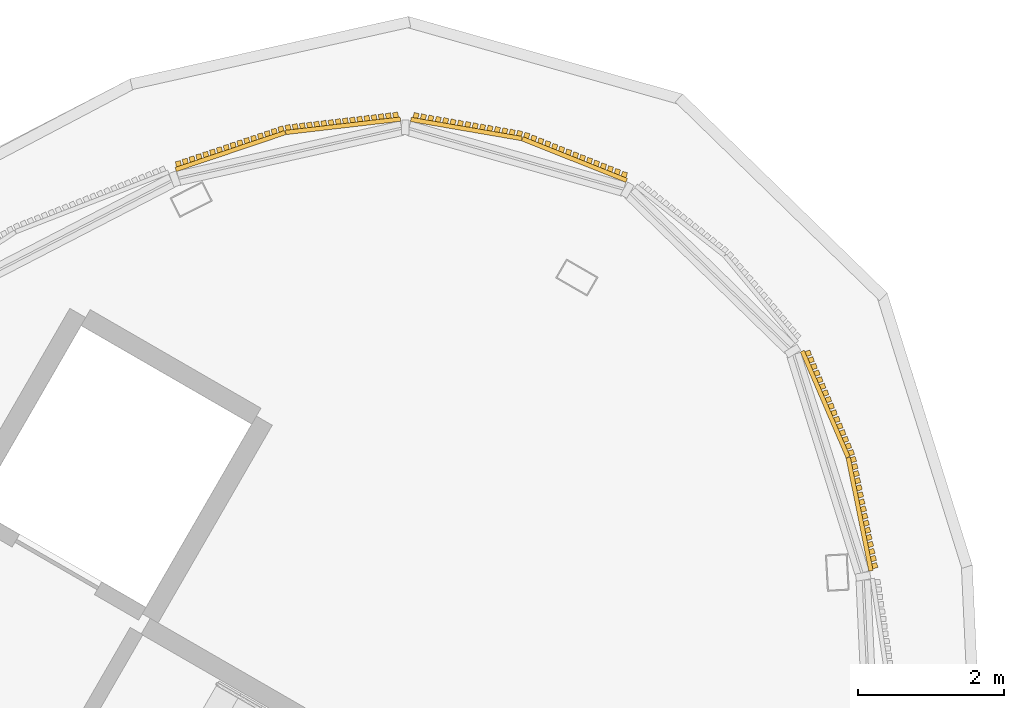
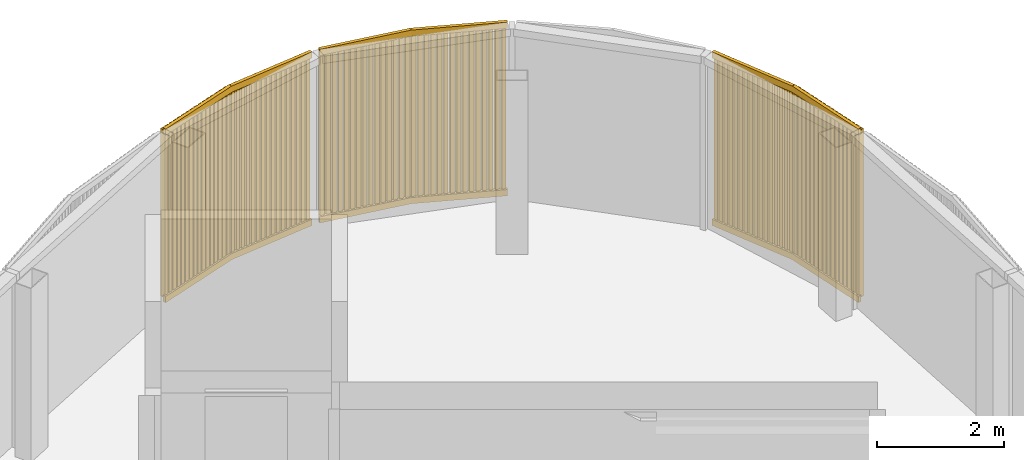
# One storey, part 16 of 16: 3 coverings.
"""IFC4 building model written with IfcOpenShell, lengths in metres."""

from ifc_helpers import new_model, si_unit, direction, frame, frame_2d, origin, place, context, subcontext, project, spatial, rectangle, extrude, source, transform, mapped, material, type_object, element, save


model = new_model("IFC4")

# Units and contexts
model_context = context("Model", 3, precision=1e-05, world=origin(), true_north=direction((0.0, 1.0)))
body_context = subcontext(model_context, "Body", "Model", "MODEL_VIEW")
ifc_project = project(units=[si_unit("LENGTHUNIT", "METRE"), si_unit("AREAUNIT", "SQUARE_METRE"), si_unit("VOLUMEUNIT", "CUBIC_METRE"), si_unit("PLANEANGLEUNIT", "RADIAN"), si_unit("MASSUNIT", "GRAM", prefix="KILO")], contexts=[model_context])

# Site, building, storey
site_placement = place(None, origin())
site = spatial("IfcSite", under=ifc_project, at=site_placement, CompositionType="ELEMENT")
building_placement = place(site_placement, origin())
building = spatial("IfcBuilding", under=site, at=building_placement, Name="Tamra Quay Hotel Tower", CompositionType="ELEMENT")
storey_placement = place(building_placement, frame((0.0, 0.0, 320.60009765625)))
storey = spatial("IfcBuildingStorey", under=building, at=storey_placement, Name="Roof crown 1", CompositionType="ELEMENT", Elevation=320.60009765625)

# Coverings
ifc_material = material(Name="Terracotta baguette extruded", Category="masonry")
covering_type = type_object("IfcCoveringType", Name="BAGUETTE SCREEN CROWN H3350", PredefinedType="USERDEFINED", material=ifc_material)
shared_shape_1 = source(origin(), body_context, "Body", "SweptSolid", [
    extrude(rectangle(XDim=1.5810546875, YDim=0.06005859375, at=frame_2d((0.79052734375, 0.030029296875))), frame((-1.578857421875, -0.0576171875, -0.1201171875), z_axis=(0.0, 0.0, 1.0), x_axis=(0.994521895368, -0.104528463268, 0.0)), (0.0, 0.0, 1.0), 0.1201171875),
    extrude(rectangle(XDim=1.5810546875, YDim=0.06005859375, at=frame_2d((0.79052734375, 0.030029296875))), frame((-1.578857421875, -0.0576171875, -3.35009765625), z_axis=(0.0, 0.0, 1.0), x_axis=(0.994521895368, -0.104528463268, 0.0)), (0.0, 0.0, 1.0), 0.1201171875),
    extrude(rectangle(XDim=0.070068359375, YDim=0.10009765625, at=frame_2d((0.03515625, 0.050048828125))), frame((-1.558349609375, -0.133056640625, -3.2900390625)), (0.0, 0.0, 1.0), 3.22998046875),
    extrude(rectangle(XDim=0.070068359375, YDim=0.10009765625, at=frame_2d((0.03515625, 0.050048828125))), frame((-1.4599609375, -0.1435546875, -3.2900390625)), (0.0, 0.0, 1.0), 3.22998046875),
    extrude(rectangle(XDim=0.070068359375, YDim=0.10009765625, at=frame_2d((0.03515625, 0.050048828125))), frame((-1.36181640625, -0.15380859375, -3.2900390625)), (0.0, 0.0, 1.0), 3.22998046875),
    extrude(rectangle(XDim=0.070068359375, YDim=0.10009765625, at=frame_2d((0.03515625, 0.050048828125))), frame((-1.263427734375, -0.1640625, -3.2900390625)), (0.0, 0.0, 1.0), 3.22998046875),
    extrude(rectangle(XDim=0.070068359375, YDim=0.10009765625, at=frame_2d((0.03515625, 0.050048828125))), frame((-1.165283203125, -0.174560546875, -3.2900390625)), (0.0, 0.0, 1.0), 3.22998046875),
    extrude(rectangle(XDim=0.070068359375, YDim=0.10009765625, at=frame_2d((0.03515625, 0.050048828125))), frame((-1.06689453125, -0.184814453125, -3.2900390625)), (0.0, 0.0, 1.0), 3.22998046875),
    extrude(rectangle(XDim=0.070068359375, YDim=0.10009765625, at=frame_2d((0.03515625, 0.050048828125))), frame((-0.96875, -0.195068359375, -3.2900390625)), (0.0, 0.0, 1.0), 3.22998046875),
    extrude(rectangle(XDim=0.070068359375, YDim=0.10009765625, at=frame_2d((0.03515625, 0.050048828125))), frame((-0.870361328125, -0.20556640625, -3.2900390625)), (0.0, 0.0, 1.0), 3.22998046875),
    extrude(rectangle(XDim=0.070068359375, YDim=0.10009765625, at=frame_2d((0.03515625, 0.050048828125))), frame((-0.772216796875, -0.2158203125, -3.2900390625)), (0.0, 0.0, 1.0), 3.22998046875),
    extrude(rectangle(XDim=0.070068359375, YDim=0.10009765625, at=frame_2d((0.03515625, 0.050048828125))), frame((-0.673828125, -0.22607421875, -3.2900390625)), (0.0, 0.0, 1.0), 3.22998046875),
    extrude(rectangle(XDim=0.070068359375, YDim=0.10009765625, at=frame_2d((0.03515625, 0.050048828125))), frame((-0.575439453125, -0.236572265625, -3.2900390625)), (0.0, 0.0, 1.0), 3.22998046875),
    extrude(rectangle(XDim=0.070068359375, YDim=0.10009765625, at=frame_2d((0.03515625, 0.050048828125))), frame((-0.477294921875, -0.246826171875, -3.2900390625)), (0.0, 0.0, 1.0), 3.22998046875),
    extrude(rectangle(XDim=0.070068359375, YDim=0.10009765625, at=frame_2d((0.03515625, 0.050048828125))), frame((-0.37890625, -0.257080078125, -3.2900390625)), (0.0, 0.0, 1.0), 3.22998046875),
    extrude(rectangle(XDim=0.070068359375, YDim=0.10009765625, at=frame_2d((0.03515625, 0.050048828125))), frame((-0.28076171875, -0.267333984375, -3.2900390625)), (0.0, 0.0, 1.0), 3.22998046875),
    extrude(rectangle(XDim=0.070068359375, YDim=0.10009765625, at=frame_2d((0.03515625, 0.050048828125))), frame((-0.182373046875, -0.27783203125, -3.2900390625)), (0.0, 0.0, 1.0), 3.22998046875),
    extrude(rectangle(XDim=0.070068359375, YDim=0.10009765625, at=frame_2d((0.03515625, 0.050048828125))), frame((-0.084228515625, -0.2880859375, -3.2900390625)), (0.0, 0.0, 1.0), 3.22998046875),
    extrude(rectangle(XDim=1.5810546875, YDim=0.06005859375, at=frame_2d((0.79052734375, 0.030029296875))), frame((0.00634765625, -0.222900390625, -0.1201171875), z_axis=(0.0, 0.0, 1.0), x_axis=(0.994521895368, 0.104528463268, 0.0)), (0.0, 0.0, 1.0), 0.1201171875),
    extrude(rectangle(XDim=1.5810546875, YDim=0.06005859375, at=frame_2d((0.79052734375, 0.030029296875))), frame((0.00634765625, -0.222900390625, -3.35009765625), z_axis=(0.0, 0.0, 1.0), x_axis=(0.994521895368, 0.104528463268, 0.0)), (0.0, 0.0, 1.0), 0.1201171875),
    extrude(rectangle(XDim=0.070068359375, YDim=0.10009765625, at=frame_2d((0.03515625, 0.050048828125))), frame((0.01416015625, -0.2880859375, -3.2900390625)), (0.0, 0.0, 1.0), 3.22998046875),
    extrude(rectangle(XDim=0.070068359375, YDim=0.10009765625, at=frame_2d((0.03515625, 0.050048828125))), frame((0.1123046875, -0.27783203125, -3.2900390625)), (0.0, 0.0, 1.0), 3.22998046875),
    extrude(rectangle(XDim=0.070068359375, YDim=0.10009765625, at=frame_2d((0.03515625, 0.050048828125))), frame((0.210693359375, -0.267333984375, -3.2900390625)), (0.0, 0.0, 1.0), 3.22998046875),
    extrude(rectangle(XDim=0.070068359375, YDim=0.10009765625, at=frame_2d((0.03515625, 0.050048828125))), frame((0.30908203125, -0.257080078125, -3.2900390625)), (0.0, 0.0, 1.0), 3.22998046875),
    extrude(rectangle(XDim=0.070068359375, YDim=0.10009765625, at=frame_2d((0.03515625, 0.050048828125))), frame((0.4072265625, -0.246826171875, -3.2900390625)), (0.0, 0.0, 1.0), 3.22998046875),
    extrude(rectangle(XDim=0.070068359375, YDim=0.10009765625, at=frame_2d((0.03515625, 0.050048828125))), frame((0.505615234375, -0.236572265625, -3.2900390625)), (0.0, 0.0, 1.0), 3.22998046875),
    extrude(rectangle(XDim=0.070068359375, YDim=0.10009765625, at=frame_2d((0.03515625, 0.050048828125))), frame((0.603759765625, -0.22607421875, -3.2900390625)), (0.0, 0.0, 1.0), 3.22998046875),
    extrude(rectangle(XDim=0.070068359375, YDim=0.10009765625, at=frame_2d((0.03515625, 0.050048828125))), frame((0.7021484375, -0.2158203125, -3.2900390625)), (0.0, 0.0, 1.0), 3.22998046875),
    extrude(rectangle(XDim=0.070068359375, YDim=0.10009765625, at=frame_2d((0.03515625, 0.050048828125))), frame((0.80029296875, -0.20556640625, -3.2900390625)), (0.0, 0.0, 1.0), 3.22998046875),
    extrude(rectangle(XDim=0.070068359375, YDim=0.10009765625, at=frame_2d((0.03515625, 0.050048828125))), frame((0.898681640625, -0.195068359375, -3.2900390625)), (0.0, 0.0, 1.0), 3.22998046875),
    extrude(rectangle(XDim=0.070068359375, YDim=0.10009765625, at=frame_2d((0.03515625, 0.050048828125))), frame((0.9970703125, -0.184814453125, -3.2900390625)), (0.0, 0.0, 1.0), 3.22998046875),
    extrude(rectangle(XDim=0.070068359375, YDim=0.10009765625, at=frame_2d((0.03515625, 0.050048828125))), frame((1.09521484375, -0.174560546875, -3.2900390625)), (0.0, 0.0, 1.0), 3.22998046875),
    extrude(rectangle(XDim=0.070068359375, YDim=0.10009765625, at=frame_2d((0.03515625, 0.050048828125))), frame((1.193603515625, -0.1640625, -3.2900390625)), (0.0, 0.0, 1.0), 3.22998046875),
    extrude(rectangle(XDim=0.070068359375, YDim=0.10009765625, at=frame_2d((0.03515625, 0.050048828125))), frame((1.291748046875, -0.15380859375, -3.2900390625)), (0.0, 0.0, 1.0), 3.22998046875),
    extrude(rectangle(XDim=0.070068359375, YDim=0.10009765625, at=frame_2d((0.03515625, 0.050048828125))), frame((1.39013671875, -0.1435546875, -3.2900390625)), (0.0, 0.0, 1.0), 3.22998046875),
    extrude(rectangle(XDim=0.070068359375, YDim=0.10009765625, at=frame_2d((0.03515625, 0.050048828125))), frame((1.48828125, -0.133056640625, -3.2900390625)), (0.0, 0.0, 1.0), 3.22998046875),
])
for number, where, z_axis, x_axis, name in (
    (1, (15.16650390625, 17.6357421875, 3.349853515625), (0.0, 0.0, 1.0), (-0.29839239288, 0.954443282689, 0.0), "Baguette screen Roof crown 1.A.f01"),
    (2, (7.689697265625, 21.952392578125, 3.349853515625), (0.0, 0.0, 1.0), (-0.975768325721, -0.218806248814, 0.0), "Baguette screen Roof crown 1.A.f04"),
):
    element("IfcCovering", number, at=place(storey_placement, frame(where, z_axis=z_axis, x_axis=x_axis)), inside=storey, type_object=covering_type, Name=name, ObjectType="BAGUETTE SCREEN", PredefinedType="USERDEFINED", context=body_context, shape_type="MappedRepresentation", body=[
        mapped(shared_shape_1, transform((0.0, 0.0, 0.0), scale=1.0)),
    ])
shared_shape_2 = source(origin(), body_context, "Body", "SweptSolid", [
    extrude(rectangle(XDim=1.541015625, YDim=0.06005859375, at=frame_2d((0.7705078125, 0.030029296875))), frame((-1.538818359375, -0.0576171875, -0.1201171875), z_axis=(0.0, 0.0, 1.0), x_axis=(0.994521895368, -0.104528463268, 0.0)), (0.0, 0.0, 1.0), 0.1201171875),
    extrude(rectangle(XDim=1.541015625, YDim=0.06005859375, at=frame_2d((0.7705078125, 0.030029296875))), frame((-1.538818359375, -0.0576171875, -3.35009765625), z_axis=(0.0, 0.0, 1.0), x_axis=(0.994521895368, -0.104528463268, 0.0)), (0.0, 0.0, 1.0), 0.1201171875),
    extrude(rectangle(XDim=0.070068359375, YDim=0.10009765625, at=frame_2d((0.03515625, 0.050048828125))), frame((-1.516357421875, -0.13330078125, -3.2900390625)), (0.0, 0.0, 1.0), 3.22998046875),
    extrude(rectangle(XDim=0.070068359375, YDim=0.10009765625, at=frame_2d((0.03515625, 0.050048828125))), frame((-1.414306640625, -0.14404296875, -3.2900390625)), (0.0, 0.0, 1.0), 3.22998046875),
    extrude(rectangle(XDim=0.070068359375, YDim=0.10009765625, at=frame_2d((0.03515625, 0.050048828125))), frame((-1.31201171875, -0.15478515625, -3.2900390625)), (0.0, 0.0, 1.0), 3.22998046875),
    extrude(rectangle(XDim=0.070068359375, YDim=0.10009765625, at=frame_2d((0.03515625, 0.050048828125))), frame((-1.2099609375, -0.16552734375, -3.2900390625)), (0.0, 0.0, 1.0), 3.22998046875),
    extrude(rectangle(XDim=0.070068359375, YDim=0.10009765625, at=frame_2d((0.03515625, 0.050048828125))), frame((-1.107666015625, -0.17626953125, -3.2900390625)), (0.0, 0.0, 1.0), 3.22998046875),
    extrude(rectangle(XDim=0.070068359375, YDim=0.10009765625, at=frame_2d((0.03515625, 0.050048828125))), frame((-1.005615234375, -0.18701171875, -3.2900390625)), (0.0, 0.0, 1.0), 3.22998046875),
    extrude(rectangle(XDim=0.070068359375, YDim=0.10009765625, at=frame_2d((0.03515625, 0.050048828125))), frame((-0.9033203125, -0.19775390625, -3.2900390625)), (0.0, 0.0, 1.0), 3.22998046875),
    extrude(rectangle(XDim=0.070068359375, YDim=0.10009765625, at=frame_2d((0.03515625, 0.050048828125))), frame((-0.80126953125, -0.20849609375, -3.2900390625)), (0.0, 0.0, 1.0), 3.22998046875),
    extrude(rectangle(XDim=0.070068359375, YDim=0.10009765625, at=frame_2d((0.03515625, 0.050048828125))), frame((-0.698974609375, -0.21923828125, -3.2900390625)), (0.0, 0.0, 1.0), 3.22998046875),
    extrude(rectangle(XDim=0.070068359375, YDim=0.10009765625, at=frame_2d((0.03515625, 0.050048828125))), frame((-0.596923828125, -0.22998046875, -3.2900390625)), (0.0, 0.0, 1.0), 3.22998046875),
    extrude(rectangle(XDim=0.070068359375, YDim=0.10009765625, at=frame_2d((0.03515625, 0.050048828125))), frame((-0.49462890625, -0.24072265625, -3.2900390625)), (0.0, 0.0, 1.0), 3.22998046875),
    extrude(rectangle(XDim=0.070068359375, YDim=0.10009765625, at=frame_2d((0.03515625, 0.050048828125))), frame((-0.392578125, -0.25146484375, -3.2900390625)), (0.0, 0.0, 1.0), 3.22998046875),
    extrude(rectangle(XDim=0.070068359375, YDim=0.10009765625, at=frame_2d((0.03515625, 0.050048828125))), frame((-0.29052734375, -0.26220703125, -3.2900390625)), (0.0, 0.0, 1.0), 3.22998046875),
    extrude(rectangle(XDim=0.070068359375, YDim=0.10009765625, at=frame_2d((0.03515625, 0.050048828125))), frame((-0.188232421875, -0.27294921875, -3.2900390625)), (0.0, 0.0, 1.0), 3.22998046875),
    extrude(rectangle(XDim=0.070068359375, YDim=0.10009765625, at=frame_2d((0.03515625, 0.050048828125))), frame((-0.086181640625, -0.28369140625, -3.2900390625)), (0.0, 0.0, 1.0), 3.22998046875),
    extrude(rectangle(XDim=1.541015625, YDim=0.06005859375, at=frame_2d((0.7705078125, 0.030029296875))), frame((0.00634765625, -0.21875, -0.1201171875), z_axis=(0.0, 0.0, 1.0), x_axis=(0.994521895368, 0.104528463268, 0.0)), (0.0, 0.0, 1.0), 0.1201171875),
    extrude(rectangle(XDim=1.541015625, YDim=0.06005859375, at=frame_2d((0.7705078125, 0.030029296875))), frame((0.00634765625, -0.21875, -3.35009765625), z_axis=(0.0, 0.0, 1.0), x_axis=(0.994521895368, 0.104528463268, 0.0)), (0.0, 0.0, 1.0), 0.1201171875),
    extrude(rectangle(XDim=0.070068359375, YDim=0.10009765625, at=frame_2d((0.03515625, 0.050048828125))), frame((0.01611328125, -0.28369140625, -3.2900390625)), (0.0, 0.0, 1.0), 3.22998046875),
    extrude(rectangle(XDim=0.070068359375, YDim=0.10009765625, at=frame_2d((0.03515625, 0.050048828125))), frame((0.1181640625, -0.27294921875, -3.2900390625)), (0.0, 0.0, 1.0), 3.22998046875),
    extrude(rectangle(XDim=0.070068359375, YDim=0.10009765625, at=frame_2d((0.03515625, 0.050048828125))), frame((0.220458984375, -0.26220703125, -3.2900390625)), (0.0, 0.0, 1.0), 3.22998046875),
    extrude(rectangle(XDim=0.070068359375, YDim=0.10009765625, at=frame_2d((0.03515625, 0.050048828125))), frame((0.322509765625, -0.25146484375, -3.2900390625)), (0.0, 0.0, 1.0), 3.22998046875),
    extrude(rectangle(XDim=0.070068359375, YDim=0.10009765625, at=frame_2d((0.03515625, 0.050048828125))), frame((0.4248046875, -0.24072265625, -3.2900390625)), (0.0, 0.0, 1.0), 3.22998046875),
    extrude(rectangle(XDim=0.070068359375, YDim=0.10009765625, at=frame_2d((0.03515625, 0.050048828125))), frame((0.52685546875, -0.22998046875, -3.2900390625)), (0.0, 0.0, 1.0), 3.22998046875),
    extrude(rectangle(XDim=0.070068359375, YDim=0.10009765625, at=frame_2d((0.03515625, 0.050048828125))), frame((0.629150390625, -0.21923828125, -3.2900390625)), (0.0, 0.0, 1.0), 3.22998046875),
    extrude(rectangle(XDim=0.070068359375, YDim=0.10009765625, at=frame_2d((0.03515625, 0.050048828125))), frame((0.731201171875, -0.20849609375, -3.2900390625)), (0.0, 0.0, 1.0), 3.22998046875),
    extrude(rectangle(XDim=0.070068359375, YDim=0.10009765625, at=frame_2d((0.03515625, 0.050048828125))), frame((0.83349609375, -0.19775390625, -3.2900390625)), (0.0, 0.0, 1.0), 3.22998046875),
    extrude(rectangle(XDim=0.070068359375, YDim=0.10009765625, at=frame_2d((0.03515625, 0.050048828125))), frame((0.935546875, -0.18701171875, -3.2900390625)), (0.0, 0.0, 1.0), 3.22998046875),
    extrude(rectangle(XDim=0.070068359375, YDim=0.10009765625, at=frame_2d((0.03515625, 0.050048828125))), frame((1.037841796875, -0.17626953125, -3.2900390625)), (0.0, 0.0, 1.0), 3.22998046875),
    extrude(rectangle(XDim=0.070068359375, YDim=0.10009765625, at=frame_2d((0.03515625, 0.050048828125))), frame((1.139892578125, -0.16552734375, -3.2900390625)), (0.0, 0.0, 1.0), 3.22998046875),
    extrude(rectangle(XDim=0.070068359375, YDim=0.10009765625, at=frame_2d((0.03515625, 0.050048828125))), frame((1.2421875, -0.15478515625, -3.2900390625)), (0.0, 0.0, 1.0), 3.22998046875),
    extrude(rectangle(XDim=0.070068359375, YDim=0.10009765625, at=frame_2d((0.03515625, 0.050048828125))), frame((1.34423828125, -0.14404296875, -3.2900390625)), (0.0, 0.0, 1.0), 3.22998046875),
    extrude(rectangle(XDim=0.070068359375, YDim=0.10009765625, at=frame_2d((0.03515625, 0.050048828125))), frame((1.446533203125, -0.13330078125, -3.2900390625)), (0.0, 0.0, 1.0), 3.22998046875),
])
covering_placement = place(storey_placement, frame((10.83447265625, 21.875244140625, 3.349853515625), z_axis=(0.0, 0.0, 1.0), x_axis=(-0.96227963311, 0.272062323195, 0.0)))
element("IfcCovering", 3, at=covering_placement, inside=storey, type_object=covering_type, Name="Baguette screen Roof crown 1.A.f03", ObjectType="BAGUETTE SCREEN", PredefinedType="USERDEFINED", context=body_context, shape_type="MappedRepresentation", body=[
    mapped(shared_shape_2, transform((0.0, 0.0, 0.0), scale=1.0)),
])

save(model, "model.ifc")
